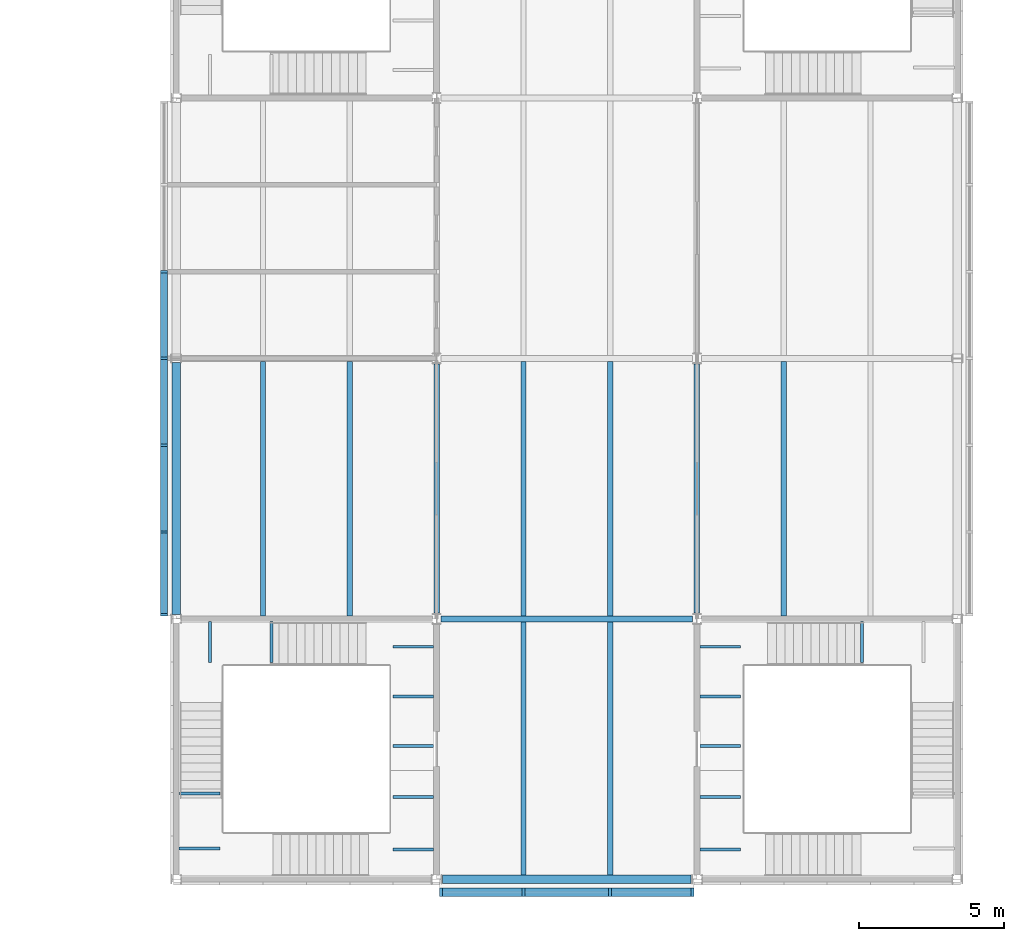
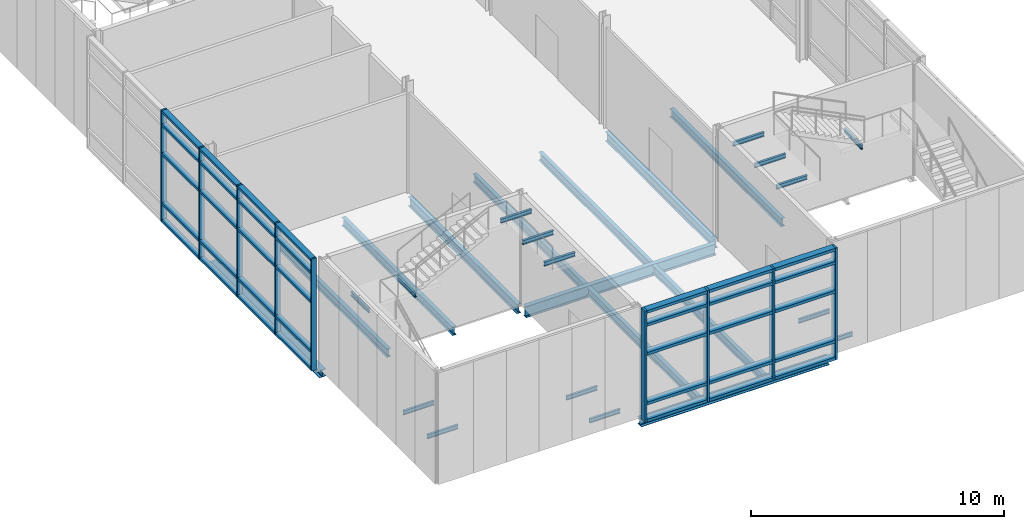
# One storey, part 9 of 53: 44 members, 27 beams, 2 elements without a shape of their own.
"""IFC4 building model written with IfcOpenShell, lengths in metres."""

import ifcopenshell
import ifcopenshell.guid

model = None  # the IFC model being written
_history = None  # IfcOwnerHistory: only IFC2X3 demands one
_inside = {}  # id of a spatial element -> (the spatial element, [elements in it])
_under = {}  # id of a project, library or spatial element -> (it, [spatial elements below it])
_declared = {}  # id of a project -> (the project, [libraries it declares])
_typed = {}  # id of a type object -> (the type object, [elements of that type])
_made_of = {}  # id of a material, layer set ... -> (it, [elements and type objects made of it])


def new_model(schema):
    """Start an empty IFC model of exactly this schema.

    Asked for "IFC4X3", IfcOpenShell would pick the latest addendum, in which some entities
    have other attributes; the version numbers below select the first issue.
    IFC2X3 requires an IfcOwnerHistory on every rooted entity: one is made here for all.
    """
    global model, _history
    if schema == "IFC4X3":
        model = ifcopenshell.file(schema_version=(4, 3, 0, 0))
    else:
        model = ifcopenshell.file(schema=schema)
    _inside.clear()
    _under.clear()
    _declared.clear()
    _typed.clear()
    _made_of.clear()
    _history = None
    if model.schema == "IFC2X3":
        org = make("IfcOrganization", Name="unknown")
        user = make(
            "IfcPersonAndOrganization",
            ThePerson=make("IfcPerson", FamilyName="unknown"),
            TheOrganization=org,
        )
        app = make(
            "IfcApplication",
            ApplicationDeveloper=org,
            Version="unknown",
            ApplicationFullName="unknown",
            ApplicationIdentifier="unknown",
        )
        _history = make(
            "IfcOwnerHistory",
            OwningUser=user,
            OwningApplication=app,
            ChangeAction="ADDED",
            CreationDate=0,
        )
    return model


def make(cls, **values):
    """One entity of the class cls with the attributes given. An attribute that is None is left unset."""
    return model.create_entity(
        cls, **{name: value for name, value in values.items() if value is not None}
    )


def rooted(cls, **values):
    """An entity with a GlobalId (a new one), such as an element, a storey or a relation."""
    return make(cls, GlobalId=ifcopenshell.guid.new(), OwnerHistory=_history, **values)


def si_unit(unit_type, name, prefix=None):
    """IfcSIUnit, for example si_unit("LENGTHUNIT", "METRE", prefix="MILLI")."""
    return make("IfcSIUnit", UnitType=unit_type, Prefix=prefix, Name=name)


def assignment(units):
    """IfcUnitAssignment: the units of a project."""
    return None if units is None else make("IfcUnitAssignment", Units=units)


def point(xyz):
    """IfcCartesianPoint."""
    return None if xyz is None else make("IfcCartesianPoint", Coordinates=xyz)


def direction(xyz):
    """IfcDirection."""
    return None if xyz is None else make("IfcDirection", DirectionRatios=xyz)


def frame(location, z_axis=None, x_axis=None):
    """IfcAxis2Placement3D, a coordinate frame: its origin and axes. An axis left out is left unset."""
    return make(
        "IfcAxis2Placement3D",
        Location=point(location),
        Axis=direction(z_axis),
        RefDirection=direction(x_axis),
    )


def frame_2d(location, x_axis=None):
    """IfcAxis2Placement2D, a coordinate frame in the plane: its origin and x axis."""
    return make(
        "IfcAxis2Placement2D", Location=point(location), RefDirection=direction(x_axis)
    )


def origin():
    """The frame at (0, 0, 0) with its axes left unset."""
    return frame((0.0, 0.0, 0.0))


def origin_2d():
    """The frame at (0, 0) in the plane with its x axis left unset."""
    return frame_2d((0.0, 0.0))


def place(relative_to, where):
    """IfcLocalPlacement: puts the frame where relative to a parent placement (None: the world)."""
    return make(
        "IfcLocalPlacement", PlacementRelTo=relative_to, RelativePlacement=where
    )


def context(
    kind, dimensions, precision=None, world=None, true_north=None, identifier=None
):
    """IfcGeometricRepresentationContext, for example the 3D "Model" context."""
    return make(
        "IfcGeometricRepresentationContext",
        ContextIdentifier=identifier,
        ContextType=kind,
        CoordinateSpaceDimension=dimensions,
        Precision=precision,
        WorldCoordinateSystem=world,
        TrueNorth=true_north,
    )


def subcontext(parent, identifier, kind, view, scale=None):
    """IfcGeometricRepresentationSubContext, for example "Body" below "Model"."""
    return make(
        "IfcGeometricRepresentationSubContext",
        ContextIdentifier=identifier,
        ContextType=kind,
        ParentContext=parent,
        TargetScale=scale,
        TargetView=view,
    )


def project(units=None, contexts=None):
    """IfcProject with its units and contexts."""
    return rooted(
        "IfcProject",
        Name="project",
        RepresentationContexts=contexts,
        UnitsInContext=assignment(units),
    )


def spatial(cls, under=None, at=None, **own):
    """A site, building, storey or space (cls), placed at a placement, below another one or the project."""
    s = rooted(cls, ObjectPlacement=at, **own)
    if under is not None:
        _under.setdefault(under.id(), (under, []))[1].append(s)
    return s


def profile(cls, at=None, kind="AREA", **sizes):
    """A parametric profile (cls). Its sizes go by their IFC names, for example OverallWidth=200.0."""
    return make(cls, ProfileType=kind, Position=at, **sizes)


def rectangle(**sizes):
    """IfcRectangleProfileDef."""
    return profile("IfcRectangleProfileDef", **sizes)


def i_section(**sizes):
    """IfcIShapeProfileDef."""
    return profile("IfcIShapeProfileDef", **sizes)


def extrude(swept, where, along, depth):
    """IfcExtrudedAreaSolid: the profile swept, set in the frame where, extruded along a direction by depth."""
    return make(
        "IfcExtrudedAreaSolid",
        SweptArea=swept,
        Position=where,
        ExtrudedDirection=direction(along),
        Depth=depth,
    )


def shape(context_of_items, identifier, shape_type, items):
    """IfcShapeRepresentation: the items that make up one representation, for example the "Body"."""
    return make(
        "IfcShapeRepresentation",
        ContextOfItems=context_of_items,
        RepresentationIdentifier=identifier,
        RepresentationType=shape_type,
        Items=items,
    )


def material(Name=None, Category=None):
    """IfcMaterial."""
    return make("IfcMaterial", Name=Name, Category=Category)


def material_profile(
    of_material, cross_section, Name=None, Category=None, Priority=None
):
    """IfcMaterialProfile: a cross section and its material."""
    return make(
        "IfcMaterialProfile",
        Name=Name,
        Material=of_material,
        Profile=cross_section,
        Priority=Priority,
        Category=Category,
    )


def profile_set(profiles, Name=None, composite=None):
    """IfcMaterialProfileSet."""
    return make(
        "IfcMaterialProfileSet",
        Name=Name,
        MaterialProfiles=profiles,
        CompositeProfile=composite,
    )


def made_of(thing, what):
    """Note that an element or type object is made of a material, layer set ...; save() writes the relation."""
    if what is not None:
        _made_of.setdefault(what.id(), (what, []))[1].append(thing)
    return thing


def type_object(cls, material=None, **own):
    """A type object (cls), such as IfcWallType, which elements share."""
    return made_of(rooted(cls, **own), material)


def element(
    cls,
    number,
    at=None,
    inside=None,
    cuts=None,
    type_object=None,
    material=None,
    context=None,
    identifier="Body",
    shape_type=None,
    held_by="IfcProductDefinitionShape",
    body=None,
    shapes=None,
    **own,
):
    """One element of the class cls, such as IfcWall. Its Tag is "e" and its number.

    at: its placement. inside: the storey or other place that contains it. cuts: it is an
    opening in that element (IfcRelVoidsElement). A single representation is given by context,
    identifier, shape_type and body (its items); several are given by shapes. held_by: the class
    of the entity that holds the representations. save() writes the other relations.
    """
    e = rooted(cls, Tag="e%d" % number, ObjectPlacement=at, **own)
    if body is not None:
        shapes = [shape(context, identifier, shape_type, body)]
    if shapes is not None:
        e.Representation = make(held_by, Representations=shapes)
    if inside is not None:
        _inside.setdefault(inside.id(), (inside, []))[1].append(e)
    if cuts is not None:
        rooted(
            "IfcRelVoidsElement", RelatingBuildingElement=cuts, RelatedOpeningElement=e
        )
    if type_object is not None:
        _typed.setdefault(type_object.id(), (type_object, []))[1].append(e)
    return made_of(e, material)


def aggregate(whole, parts):
    """IfcRelAggregates: a whole, such as a stair, and the parts it consists of."""
    return rooted("IfcRelAggregates", RelatingObject=whole, RelatedObjects=parts)


def save(model, path):
    """Write the relations noted so far, then the file.

    IfcRelAggregates (storeys below a building ...), IfcRelContainedInSpatialStructure (elements
    in a storey), IfcRelDefinesByType, IfcRelAssociatesMaterial and IfcRelDeclares: one each for
    every whole, place, type object, material and project.
    """
    for whole, parts in _under.values():
        aggregate(whole, parts)
    for where, things in _inside.values():
        rooted(
            "IfcRelContainedInSpatialStructure",
            RelatedElements=things,
            RelatingStructure=where,
        )
    for kind, things in _typed.values():
        rooted("IfcRelDefinesByType", RelatedObjects=things, RelatingType=kind)
    for what, things in _made_of.values():
        rooted("IfcRelAssociatesMaterial", RelatedObjects=things, RelatingMaterial=what)
    for by, libraries in _declared.values():
        rooted("IfcRelDeclares", RelatingContext=by, RelatedDefinitions=libraries)
    model.write(path)


model = new_model("IFC4")

# Units and contexts
model_context = context("Model", 3, precision=1e-05, world=origin(), true_north=direction((0.0, 1.0)))
body_context = subcontext(model_context, "Body", "Model", "MODEL_VIEW")
ifc_project = project(units=[si_unit("LENGTHUNIT", "METRE"), si_unit("AREAUNIT", "SQUARE_METRE"), si_unit("VOLUMEUNIT", "CUBIC_METRE"), si_unit("PLANEANGLEUNIT", "RADIAN"), si_unit("MASSUNIT", "GRAM", prefix="KILO")], contexts=[model_context])

# Site, building, storey
site_placement = place(None, origin())
site = spatial("IfcSite", under=ifc_project, at=site_placement, CompositionType="ELEMENT")
building_placement = place(site_placement, origin())
building = spatial("IfcBuilding", under=site, at=building_placement, Name="Azimuth Sports and Learning Centre", CompositionType="ELEMENT")
storey_placement = place(building_placement, frame((0.0, 0.0, 10.800048828125)))
storey = spatial("IfcBuildingStorey", under=building, at=storey_placement, Name="L02", CompositionType="ELEMENT", Elevation=10.800048828125)

# Beams
ifc_material_1 = material(Name="Steel S355", Category="steel")
ifc_material_profile_1 = material_profile(ifc_material_1, i_section(OverallWidth=0.10009765625, OverallDepth=0.199951171875, WebThickness=0.005615234375, FlangeThickness=0.008544921875, FilletRadius=0.011962890625, at=origin_2d()), Name="IPE 200")
ifc_profile_set_1 = profile_set([ifc_material_profile_1], Name="Steel S355")
beam_type_1 = type_object("IfcBeamType", Name="Beam IPE 200", PredefinedType="BEAM", material=ifc_profile_set_1)
for number, where, z_axis, x_axis, name in (
    (1, (80.89990234375, 1.02001953125, -0.300048828125), (-1.0, 0.0, 0.0), (0.0, -1.0, 0.0), "Landing bracket ST1 L02 1004"),
    (2, (80.89990234375, 2.840087890625, -0.300048828125), (-1.0, 0.0, 0.0), (0.0, -1.0, 0.0), "Landing bracket ST1 L02 1005"),
    (3, (72.10009765625, 1.06005859375, 1.5), (1.0, 0.0, 0.0), (0.0, 1.0, 0.0), "Landing bracket ST1 L02 1006"),
    (4, (72.10009765625, 2.9599609375, 1.5), (1.0, 0.0, 0.0), (0.0, 1.0, 0.0), "Landing bracket ST1 L02 1007"),
    (5, (73.172607421875, 8.89990234375, 3.300048828125), (0.0, -1.0, 0.0), (1.0, 0.0, 0.0), "Landing bracket ST1 L02 1008"),
    (6, (75.297607421875, 8.89990234375, 3.300048828125), (0.0, -1.0, 0.0), (1.0, 0.0, 0.0), "Landing bracket ST1 L02 1009"),
    (7, (80.89990234375, 4.606689453125, 5.099853515625), (-1.0, 0.0, 0.0), (0.0, -1.0, 0.0), "Landing bracket ST1 L02 1010"),
    (8, (80.89990234375, 6.320068359375, 5.099853515625), (-1.0, 0.0, 0.0), (0.0, -1.0, 0.0), "Landing bracket ST1 L02 1011"),
    (9, (80.89990234375, 8.033447265625, 5.099853515625), (-1.0, 0.0, 0.0), (0.0, -1.0, 0.0), "Landing bracket ST1 L02 1012"),
    (10, (90.10009765625, 1.02001953125, -0.300048828125), (1.0, 0.0, 0.0), (0.0, 1.0, 0.0), "Landing bracket ST2 L02 1041"),
    (11, (90.10009765625, 2.840087890625, -0.300048828125), (1.0, 0.0, 0.0), (0.0, 1.0, 0.0), "Landing bracket ST2 L02 1042"),
    (12, (95.702392578125, 8.89990234375, 3.300048828125), (0.0, -1.0, 0.0), (1.0, 0.0, 0.0), "Landing bracket ST2 L02 1045"),
    (13, (90.10009765625, 4.606689453125, 5.099853515625), (1.0, 0.0, 0.0), (0.0, 1.0, 0.0), "Landing bracket ST2 L02 1047"),
    (14, (90.10009765625, 6.320068359375, 5.099853515625), (1.0, 0.0, 0.0), (0.0, 1.0, 0.0), "Landing bracket ST2 L02 1048"),
    (15, (90.10009765625, 8.033447265625, 5.099853515625), (1.0, 0.0, 0.0), (0.0, 1.0, 0.0), "Landing bracket ST2 L02 1049"),
):
    element("IfcBeam", number, at=place(storey_placement, frame(where, z_axis=z_axis, x_axis=x_axis)), inside=storey, type_object=beam_type_1, Name=name, PredefinedType="BEAM", context=body_context, shape_type="SweptSolid", body=[
        extrude(i_section(OverallWidth=0.10009765625, OverallDepth=0.199951171875, WebThickness=0.005615234375, FlangeThickness=0.008544921875, FilletRadius=0.011962890625, at=origin_2d()), origin(), (0.0, 0.0, 1.0), 1.409912109375),
    ])
ifc_material_2 = material(Name="Steel S355", Category="steel")
ifc_material_profile_2 = material_profile(ifc_material_2, i_section(OverallWidth=0.18994140625, OverallDepth=0.449951171875, WebThickness=0.009521484375, FlangeThickness=0.0146484375, FilletRadius=0.02099609375, at=origin_2d()), Name="IPE 450")
ifc_profile_set_2 = profile_set([ifc_material_profile_2], Name="Steel S355")
beam_type_2 = type_object("IfcBeamType", Name="Beam IPE 450", PredefinedType="BEAM", material=ifc_profile_set_2)
for number, where, z_axis, x_axis, name in (
    (16, (81.0, 9.199951171875, -0.375), (0.0, 1.0, 0.0), (-1.0, 0.0, 0.0), "Beam L02 ST 29"),
    (17, (90.0, 9.199951171875, -0.375), (0.0, 1.0, 0.0), (-1.0, 0.0, 0.0), "Beam L02 ST 35"),
):
    element("IfcBeam", number, at=place(storey_placement, frame(where, z_axis=z_axis, x_axis=x_axis)), inside=storey, type_object=beam_type_2, Name=name, PredefinedType="BEAM", context=body_context, shape_type="SweptSolid", body=[
        extrude(i_section(OverallWidth=0.18994140625, OverallDepth=0.449951171875, WebThickness=0.009521484375, FlangeThickness=0.0146484375, FilletRadius=0.02099609375, at=origin_2d()), origin(), (0.0, 0.0, 1.0), 8.60009765625),
    ])
ifc_material_3 = material(Name="Steel S355", Category="steel")
ifc_material_profile_3 = material_profile(ifc_material_3, i_section(OverallWidth=0.2099609375, OverallDepth=0.550048828125, WebThickness=0.010986328125, FlangeThickness=0.01708984375, FilletRadius=0.02392578125, at=origin_2d()), Name="IPE 550")
ifc_profile_set_3 = profile_set([ifc_material_profile_3], Name="Steel S355")
beam_type_3 = type_object("IfcBeamType", Name="Beam IPE 550", PredefinedType="BEAM", material=ifc_profile_set_3)
beam_1_placement = place(storey_placement, frame((81.14990234375, 9.0, -0.425048828125), z_axis=(1.0, 0.0, 0.0), x_axis=(0.0, 1.0, 0.0)))
element("IfcBeam", 18, at=beam_1_placement, inside=storey, type_object=beam_type_3, Name="Beam L02 ST 2", PredefinedType="BEAM", context=body_context, shape_type="SweptSolid", body=[
    extrude(i_section(OverallWidth=0.2099609375, OverallDepth=0.550048828125, WebThickness=0.010986328125, FlangeThickness=0.01708984375, FilletRadius=0.02392578125, at=origin_2d()), origin(), (0.0, 0.0, 1.0), 8.7001953125),
])
ifc_material_4 = material(Name="Steel S355", Category="steel")
ifc_material_profile_4 = material_profile(ifc_material_4, i_section(OverallWidth=0.300048828125, OverallDepth=0.35009765625, WebThickness=0.010009765625, FlangeThickness=0.017578125, FilletRadius=0.027099609375, at=origin_2d()), Name="HEA 360")
ifc_profile_set_4 = profile_set([ifc_material_profile_4], Name="Steel S355")
beam_type_4 = type_object("IfcBeamType", Name="Edge beam HEA 360", PredefinedType="SPANDREL", material=ifc_profile_set_4)
beam_2_placement = place(storey_placement, frame((81.199951171875, 0.0, -0.324951171875), z_axis=(1.0, 0.0, 0.0), x_axis=(0.0, 1.0, 0.0)))
element("IfcBeam", 19, at=beam_2_placement, inside=storey, type_object=beam_type_4, Name="Edge beam L02 ST 1", PredefinedType="SPANDREL", context=body_context, shape_type="SweptSolid", body=[
    extrude(i_section(OverallWidth=0.300048828125, OverallDepth=0.35009765625, WebThickness=0.010009765625, FlangeThickness=0.017578125, FilletRadius=0.027099609375, at=origin_2d()), origin(), (0.0, 0.0, 1.0), 8.60009765625),
])
beam_3_placement = place(storey_placement, frame((72.0, 9.14990234375, -0.324951171875), z_axis=(0.0, 1.0, 0.0), x_axis=(-1.0, 0.0, 0.0)))
element("IfcBeam", 20, at=beam_3_placement, inside=storey, type_object=beam_type_4, Name="Edge beam L02 ST 21", PredefinedType="SPANDREL", context=body_context, shape_type="SweptSolid", body=[
    extrude(i_section(OverallWidth=0.300048828125, OverallDepth=0.35009765625, WebThickness=0.010009765625, FlangeThickness=0.017578125, FilletRadius=0.027099609375, at=origin_2d()), origin(), (0.0, 0.0, 1.0), 8.7001953125),
])
ifc_material_5 = material(Name="Steel S355", Category="steel")
ifc_material_profile_5 = material_profile(ifc_material_5, i_section(OverallWidth=0.179931640625, OverallDepth=0.39990234375, WebThickness=0.008544921875, FlangeThickness=0.013427734375, FilletRadius=0.02099609375, at=origin_2d()), Name="IPE 400")
ifc_profile_set_5 = profile_set([ifc_material_profile_5], Name="Steel S355")
beam_type_5 = type_object("IfcBeamType", Name="Joist IPE 400", PredefinedType="JOIST", material=ifc_profile_set_5)
for number, where, z_axis, x_axis, name in (
    (21, (75.0, 9.10009765625, -0.35009765625), (0.0, 1.0, 0.0), (-1.0, 0.0, 0.0), "Joist L02 ST 48"),
    (22, (78.0, 9.10009765625, -0.35009765625), (0.0, 1.0, 0.0), (-1.0, 0.0, 0.0), "Joist L02 ST 56"),
):
    element("IfcBeam", number, at=place(storey_placement, frame(where, z_axis=z_axis, x_axis=x_axis)), inside=storey, type_object=beam_type_5, Name=name, PredefinedType="JOIST", context=body_context, shape_type="SweptSolid", body=[
        extrude(i_section(OverallWidth=0.179931640625, OverallDepth=0.39990234375, WebThickness=0.008544921875, FlangeThickness=0.013427734375, FilletRadius=0.02099609375, at=origin_2d()), origin(), (0.0, 0.0, 1.0), 8.794921875),
    ])
beam_4_placement = place(storey_placement, frame((84.0, 0.14990234375, -0.35009765625), z_axis=(0.0, 1.0, 0.0), x_axis=(-1.0, 0.0, 0.0)))
element("IfcBeam", 23, at=beam_4_placement, inside=storey, type_object=beam_type_5, Name="Joist L02 ST 64", PredefinedType="JOIST", context=body_context, shape_type="SweptSolid", body=[
    extrude(i_section(OverallWidth=0.179931640625, OverallDepth=0.39990234375, WebThickness=0.008544921875, FlangeThickness=0.013427734375, FilletRadius=0.02099609375, at=origin_2d()), origin(), (0.0, 0.0, 1.0), 8.7451171875),
])
beam_5_placement = place(storey_placement, frame((84.0, 9.10498046875, -0.35009765625), z_axis=(0.0, 1.0, 0.0), x_axis=(-1.0, 0.0, 0.0)))
element("IfcBeam", 24, at=beam_5_placement, inside=storey, type_object=beam_type_5, Name="Joist L02 ST 65", PredefinedType="JOIST", context=body_context, shape_type="SweptSolid", body=[
    extrude(i_section(OverallWidth=0.179931640625, OverallDepth=0.39990234375, WebThickness=0.008544921875, FlangeThickness=0.013427734375, FilletRadius=0.02099609375, at=origin_2d()), origin(), (0.0, 0.0, 1.0), 8.7900390625),
])
beam_6_placement = place(storey_placement, frame((87.0, 0.14990234375, -0.35009765625), z_axis=(0.0, 1.0, 0.0), x_axis=(-1.0, 0.0, 0.0)))
element("IfcBeam", 25, at=beam_6_placement, inside=storey, type_object=beam_type_5, Name="Joist L02 ST 70", PredefinedType="JOIST", context=body_context, shape_type="SweptSolid", body=[
    extrude(i_section(OverallWidth=0.179931640625, OverallDepth=0.39990234375, WebThickness=0.008544921875, FlangeThickness=0.013427734375, FilletRadius=0.02099609375, at=origin_2d()), origin(), (0.0, 0.0, 1.0), 8.7451171875),
])
beam_7_placement = place(storey_placement, frame((87.0, 9.10498046875, -0.35009765625), z_axis=(0.0, 1.0, 0.0), x_axis=(-1.0, 0.0, 0.0)))
element("IfcBeam", 26, at=beam_7_placement, inside=storey, type_object=beam_type_5, Name="Joist L02 ST 71", PredefinedType="JOIST", context=body_context, shape_type="SweptSolid", body=[
    extrude(i_section(OverallWidth=0.179931640625, OverallDepth=0.39990234375, WebThickness=0.008544921875, FlangeThickness=0.013427734375, FilletRadius=0.02099609375, at=origin_2d()), origin(), (0.0, 0.0, 1.0), 8.7900390625),
])
beam_8_placement = place(storey_placement, frame((93.0, 9.10009765625, -0.35009765625), z_axis=(0.0, 1.0, 0.0), x_axis=(-1.0, 0.0, 0.0)))
element("IfcBeam", 27, at=beam_8_placement, inside=storey, type_object=beam_type_5, Name="Joist L02 ST 76", PredefinedType="JOIST", context=body_context, shape_type="SweptSolid", body=[
    extrude(i_section(OverallWidth=0.179931640625, OverallDepth=0.39990234375, WebThickness=0.008544921875, FlangeThickness=0.013427734375, FilletRadius=0.02099609375, at=origin_2d()), origin(), (0.0, 0.0, 1.0), 8.794921875),
])

# Curtain wall, members
ifc_material_6 = material(Name="Aluminium and glass", Category="aluminium")
curtain_wall_type_1 = type_object("IfcCurtainWallType", Name="Curtain wall podium front 300", PredefinedType="NOTDEFINED", material=ifc_material_6)
curtain_wall_1_placement = place(storey_placement, origin())
curtain_wall_1 = element("IfcCurtainWall", 28, at=curtain_wall_1_placement, inside=storey, type_object=curtain_wall_type_1, Name="Curtain wall CW02-005", PredefinedType="NOTDEFINED")
ifc_material_7 = material(Name="Aluminium", Category="aluminium")
ifc_material_profile_6 = material_profile(ifc_material_7, rectangle(XDim=0.300048828125, YDim=0.10009765625, at=origin_2d()), Name="Mullion 100x300")
ifc_profile_set_6 = profile_set([ifc_material_profile_6], Name="Aluminium")
member_type_1 = type_object("IfcMemberType", Name="Mullion 100x300", PredefinedType="MULLION", material=ifc_profile_set_6)
member_1_placement = place(storey_placement, frame((81.14990234375, -0.449951171875, 0.0), z_axis=(0.0, 0.0, 1.0), x_axis=(0.0, 1.0, 0.0)))
member_1 = element("IfcMember", 29, at=member_1_placement, type_object=member_type_1, Name="CW02-005 mullion 1", PredefinedType="MULLION", context=body_context, shape_type="SweptSolid", body=[
    extrude(rectangle(XDim=0.300048828125, YDim=0.10009765625, at=origin_2d()), origin(), (0.0, 0.0, 1.0), 5.39990234375),
])
member_2_placement = place(storey_placement, frame((84.0, -0.449951171875, 0.0), z_axis=(0.0, 0.0, 1.0), x_axis=(0.0, 1.0, 0.0)))
member_2 = element("IfcMember", 30, at=member_2_placement, type_object=member_type_1, Name="CW02-005 mullion 2", PredefinedType="MULLION", context=body_context, shape_type="SweptSolid", body=[
    extrude(rectangle(XDim=0.300048828125, YDim=0.10009765625, at=origin_2d()), origin(), (0.0, 0.0, 1.0), 5.39990234375),
])
member_3_placement = place(storey_placement, frame((87.0, -0.449951171875, 0.0), z_axis=(0.0, 0.0, 1.0), x_axis=(0.0, 1.0, 0.0)))
member_3 = element("IfcMember", 31, at=member_3_placement, type_object=member_type_1, Name="CW02-005 mullion 3", PredefinedType="MULLION", context=body_context, shape_type="SweptSolid", body=[
    extrude(rectangle(XDim=0.300048828125, YDim=0.10009765625, at=origin_2d()), origin(), (0.0, 0.0, 1.0), 5.39990234375),
])
member_4_placement = place(storey_placement, frame((89.85009765625, -0.449951171875, 0.0), z_axis=(0.0, 0.0, 1.0), x_axis=(0.0, 1.0, 0.0)))
member_4 = element("IfcMember", 32, at=member_4_placement, type_object=member_type_1, Name="CW02-005 mullion 4", PredefinedType="MULLION", context=body_context, shape_type="SweptSolid", body=[
    extrude(rectangle(XDim=0.300048828125, YDim=0.10009765625, at=origin_2d()), origin(), (0.0, 0.0, 1.0), 5.39990234375),
])

ifc_material_8 = material(Name="Aluminium and glass", Category="aluminium")
curtain_wall_type_2 = type_object("IfcCurtainWallType", Name="Curtain wall podium stem 240", PredefinedType="NOTDEFINED", material=ifc_material_8)
curtain_wall_2_placement = place(storey_placement, origin())
curtain_wall_2 = element("IfcCurtainWall", 33, at=curtain_wall_2_placement, inside=storey, type_object=curtain_wall_type_2, Name="Curtain wall CW02-004", PredefinedType="NOTDEFINED")
ifc_material_9 = material(Name="Aluminium", Category="aluminium")
ifc_material_profile_7 = material_profile(ifc_material_9, rectangle(XDim=0.239990234375, YDim=0.080078125, at=origin_2d()), Name="Mullion 80x240")
ifc_profile_set_7 = profile_set([ifc_material_profile_7], Name="Aluminium")
member_type_2 = type_object("IfcMemberType", Name="Mullion 80x240", PredefinedType="MULLION", material=ifc_profile_set_7)
member_5_placement = place(storey_placement, frame((71.580078125, 21.0, 0.0), z_axis=(0.0, 0.0, 1.0), x_axis=(1.0, 0.0, 0.0)))
member_5 = element("IfcMember", 34, at=member_5_placement, type_object=member_type_2, Name="CW02-004 mullion 3", PredefinedType="MULLION", context=body_context, shape_type="SweptSolid", body=[
    extrude(rectangle(XDim=0.239990234375, YDim=0.080078125, at=origin_2d()), origin(), (0.0, 0.0, 1.0), 5.39990234375),
])
member_6_placement = place(storey_placement, frame((71.580078125, 18.0, 0.0), z_axis=(0.0, 0.0, 1.0), x_axis=(1.0, 0.0, 0.0)))
member_6 = element("IfcMember", 35, at=member_6_placement, type_object=member_type_2, Name="CW02-004 mullion 4", PredefinedType="MULLION", context=body_context, shape_type="SweptSolid", body=[
    extrude(rectangle(XDim=0.239990234375, YDim=0.080078125, at=origin_2d()), origin(), (0.0, 0.0, 1.0), 5.39990234375),
])
member_7_placement = place(storey_placement, frame((71.580078125, 15.0, 0.0), z_axis=(0.0, 0.0, 1.0), x_axis=(1.0, 0.0, 0.0)))
member_7 = element("IfcMember", 36, at=member_7_placement, type_object=member_type_2, Name="CW02-004 mullion 5", PredefinedType="MULLION", context=body_context, shape_type="SweptSolid", body=[
    extrude(rectangle(XDim=0.239990234375, YDim=0.080078125, at=origin_2d()), origin(), (0.0, 0.0, 1.0), 5.39990234375),
])
member_8_placement = place(storey_placement, frame((71.580078125, 12.0, 0.0), z_axis=(0.0, 0.0, 1.0), x_axis=(1.0, 0.0, 0.0)))
member_8 = element("IfcMember", 37, at=member_8_placement, type_object=member_type_2, Name="CW02-004 mullion 6", PredefinedType="MULLION", context=body_context, shape_type="SweptSolid", body=[
    extrude(rectangle(XDim=0.239990234375, YDim=0.080078125, at=origin_2d()), origin(), (0.0, 0.0, 1.0), 5.39990234375),
])
member_9_placement = place(storey_placement, frame((71.580078125, 9.139892578125, 0.0), z_axis=(0.0, 0.0, 1.0), x_axis=(1.0, 0.0, 0.0)))
member_9 = element("IfcMember", 38, at=member_9_placement, type_object=member_type_2, Name="CW02-004 mullion 7", PredefinedType="MULLION", context=body_context, shape_type="SweptSolid", body=[
    extrude(rectangle(XDim=0.239990234375, YDim=0.080078125, at=origin_2d()), origin(), (0.0, 0.0, 1.0), 5.39990234375),
])
ifc_material_10 = material(Name="Aluminium", Category="aluminium")
ifc_material_profile_8 = material_profile(ifc_material_10, rectangle(XDim=0.239990234375, YDim=0.1201171875, at=origin_2d()), Name="Transom 120x240")
ifc_profile_set_8 = profile_set([ifc_material_profile_8], Name="Aluminium")
member_type_3 = type_object("IfcMemberType", Name="Transom 120x240", PredefinedType="USERDEFINED", material=ifc_profile_set_8)
member_10_placement = place(storey_placement, frame((71.580078125, 20.9599609375, 0.06005859375), z_axis=(0.0, -1.0, 0.0), x_axis=(1.0, 0.0, 0.0)))
member_10 = element("IfcMember", 39, at=member_10_placement, type_object=member_type_3, Name="CW02-004 transom 3.1", ObjectType="TRANSOM", PredefinedType="USERDEFINED", context=body_context, shape_type="SweptSolid", body=[
    extrude(rectangle(XDim=0.239990234375, YDim=0.1201171875, at=origin_2d()), origin(), (0.0, 0.0, 1.0), 2.919921875),
])
member_11_placement = place(storey_placement, frame((71.580078125, 20.9599609375, 0.89990234375), z_axis=(0.0, -1.0, 0.0), x_axis=(1.0, 0.0, 0.0)))
member_11 = element("IfcMember", 40, at=member_11_placement, type_object=member_type_3, Name="CW02-004 transom 3.2", ObjectType="TRANSOM", PredefinedType="USERDEFINED", context=body_context, shape_type="SweptSolid", body=[
    extrude(rectangle(XDim=0.239990234375, YDim=0.1201171875, at=origin_2d()), origin(), (0.0, 0.0, 1.0), 2.919921875),
])
member_12_placement = place(storey_placement, frame((71.580078125, 20.9599609375, 3.300048828125), z_axis=(0.0, -1.0, 0.0), x_axis=(1.0, 0.0, 0.0)))
member_12 = element("IfcMember", 41, at=member_12_placement, type_object=member_type_3, Name="CW02-004 transom 3.3", ObjectType="TRANSOM", PredefinedType="USERDEFINED", context=body_context, shape_type="SweptSolid", body=[
    extrude(rectangle(XDim=0.239990234375, YDim=0.1201171875, at=origin_2d()), origin(), (0.0, 0.0, 1.0), 2.919921875),
])
member_13_placement = place(storey_placement, frame((71.580078125, 20.9599609375, 4.699951171875), z_axis=(0.0, -1.0, 0.0), x_axis=(1.0, 0.0, 0.0)))
member_13 = element("IfcMember", 42, at=member_13_placement, type_object=member_type_3, Name="CW02-004 transom 3.4", ObjectType="TRANSOM", PredefinedType="USERDEFINED", context=body_context, shape_type="SweptSolid", body=[
    extrude(rectangle(XDim=0.239990234375, YDim=0.1201171875, at=origin_2d()), origin(), (0.0, 0.0, 1.0), 2.919921875),
])
member_14_placement = place(storey_placement, frame((71.580078125, 20.9599609375, 5.33984375), z_axis=(0.0, -1.0, 0.0), x_axis=(1.0, 0.0, 0.0)))
member_14 = element("IfcMember", 43, at=member_14_placement, type_object=member_type_3, Name="CW02-004 transom 3.5", ObjectType="TRANSOM", PredefinedType="USERDEFINED", context=body_context, shape_type="SweptSolid", body=[
    extrude(rectangle(XDim=0.239990234375, YDim=0.1201171875, at=origin_2d()), origin(), (0.0, 0.0, 1.0), 2.919921875),
])
member_15_placement = place(storey_placement, frame((71.580078125, 17.9599609375, 0.06005859375), z_axis=(0.0, -1.0, 0.0), x_axis=(1.0, 0.0, 0.0)))
member_15 = element("IfcMember", 44, at=member_15_placement, type_object=member_type_3, Name="CW02-004 transom 4.1", ObjectType="TRANSOM", PredefinedType="USERDEFINED", context=body_context, shape_type="SweptSolid", body=[
    extrude(rectangle(XDim=0.239990234375, YDim=0.1201171875, at=origin_2d()), origin(), (0.0, 0.0, 1.0), 2.919921875),
])
member_16_placement = place(storey_placement, frame((71.580078125, 17.9599609375, 0.89990234375), z_axis=(0.0, -1.0, 0.0), x_axis=(1.0, 0.0, 0.0)))
member_16 = element("IfcMember", 45, at=member_16_placement, type_object=member_type_3, Name="CW02-004 transom 4.2", ObjectType="TRANSOM", PredefinedType="USERDEFINED", context=body_context, shape_type="SweptSolid", body=[
    extrude(rectangle(XDim=0.239990234375, YDim=0.1201171875, at=origin_2d()), origin(), (0.0, 0.0, 1.0), 2.919921875),
])
member_17_placement = place(storey_placement, frame((71.580078125, 17.9599609375, 3.300048828125), z_axis=(0.0, -1.0, 0.0), x_axis=(1.0, 0.0, 0.0)))
member_17 = element("IfcMember", 46, at=member_17_placement, type_object=member_type_3, Name="CW02-004 transom 4.3", ObjectType="TRANSOM", PredefinedType="USERDEFINED", context=body_context, shape_type="SweptSolid", body=[
    extrude(rectangle(XDim=0.239990234375, YDim=0.1201171875, at=origin_2d()), origin(), (0.0, 0.0, 1.0), 2.919921875),
])
member_18_placement = place(storey_placement, frame((71.580078125, 17.9599609375, 4.699951171875), z_axis=(0.0, -1.0, 0.0), x_axis=(1.0, 0.0, 0.0)))
member_18 = element("IfcMember", 47, at=member_18_placement, type_object=member_type_3, Name="CW02-004 transom 4.4", ObjectType="TRANSOM", PredefinedType="USERDEFINED", context=body_context, shape_type="SweptSolid", body=[
    extrude(rectangle(XDim=0.239990234375, YDim=0.1201171875, at=origin_2d()), origin(), (0.0, 0.0, 1.0), 2.919921875),
])
member_19_placement = place(storey_placement, frame((71.580078125, 17.9599609375, 5.33984375), z_axis=(0.0, -1.0, 0.0), x_axis=(1.0, 0.0, 0.0)))
member_19 = element("IfcMember", 48, at=member_19_placement, type_object=member_type_3, Name="CW02-004 transom 4.5", ObjectType="TRANSOM", PredefinedType="USERDEFINED", context=body_context, shape_type="SweptSolid", body=[
    extrude(rectangle(XDim=0.239990234375, YDim=0.1201171875, at=origin_2d()), origin(), (0.0, 0.0, 1.0), 2.919921875),
])
member_20_placement = place(storey_placement, frame((71.580078125, 14.9599609375, 0.06005859375), z_axis=(0.0, -1.0, 0.0), x_axis=(1.0, 0.0, 0.0)))
member_20 = element("IfcMember", 49, at=member_20_placement, type_object=member_type_3, Name="CW02-004 transom 5.1", ObjectType="TRANSOM", PredefinedType="USERDEFINED", context=body_context, shape_type="SweptSolid", body=[
    extrude(rectangle(XDim=0.239990234375, YDim=0.1201171875, at=origin_2d()), origin(), (0.0, 0.0, 1.0), 2.919921875),
])
member_21_placement = place(storey_placement, frame((71.580078125, 14.9599609375, 0.89990234375), z_axis=(0.0, -1.0, 0.0), x_axis=(1.0, 0.0, 0.0)))
member_21 = element("IfcMember", 50, at=member_21_placement, type_object=member_type_3, Name="CW02-004 transom 5.2", ObjectType="TRANSOM", PredefinedType="USERDEFINED", context=body_context, shape_type="SweptSolid", body=[
    extrude(rectangle(XDim=0.239990234375, YDim=0.1201171875, at=origin_2d()), origin(), (0.0, 0.0, 1.0), 2.919921875),
])
member_22_placement = place(storey_placement, frame((71.580078125, 14.9599609375, 3.300048828125), z_axis=(0.0, -1.0, 0.0), x_axis=(1.0, 0.0, 0.0)))
member_22 = element("IfcMember", 51, at=member_22_placement, type_object=member_type_3, Name="CW02-004 transom 5.3", ObjectType="TRANSOM", PredefinedType="USERDEFINED", context=body_context, shape_type="SweptSolid", body=[
    extrude(rectangle(XDim=0.239990234375, YDim=0.1201171875, at=origin_2d()), origin(), (0.0, 0.0, 1.0), 2.919921875),
])
member_23_placement = place(storey_placement, frame((71.580078125, 14.9599609375, 4.699951171875), z_axis=(0.0, -1.0, 0.0), x_axis=(1.0, 0.0, 0.0)))
member_23 = element("IfcMember", 52, at=member_23_placement, type_object=member_type_3, Name="CW02-004 transom 5.4", ObjectType="TRANSOM", PredefinedType="USERDEFINED", context=body_context, shape_type="SweptSolid", body=[
    extrude(rectangle(XDim=0.239990234375, YDim=0.1201171875, at=origin_2d()), origin(), (0.0, 0.0, 1.0), 2.919921875),
])
member_24_placement = place(storey_placement, frame((71.580078125, 14.9599609375, 5.33984375), z_axis=(0.0, -1.0, 0.0), x_axis=(1.0, 0.0, 0.0)))
member_24 = element("IfcMember", 53, at=member_24_placement, type_object=member_type_3, Name="CW02-004 transom 5.5", ObjectType="TRANSOM", PredefinedType="USERDEFINED", context=body_context, shape_type="SweptSolid", body=[
    extrude(rectangle(XDim=0.239990234375, YDim=0.1201171875, at=origin_2d()), origin(), (0.0, 0.0, 1.0), 2.919921875),
])
member_25_placement = place(storey_placement, frame((71.580078125, 11.9599609375, 0.06005859375), z_axis=(0.0, -1.0, 0.0), x_axis=(1.0, 0.0, 0.0)))
member_25 = element("IfcMember", 54, at=member_25_placement, type_object=member_type_3, Name="CW02-004 transom 6.1", ObjectType="TRANSOM", PredefinedType="USERDEFINED", context=body_context, shape_type="SweptSolid", body=[
    extrude(rectangle(XDim=0.239990234375, YDim=0.1201171875, at=origin_2d()), origin(), (0.0, 0.0, 1.0), 2.780029296875),
])
member_26_placement = place(storey_placement, frame((71.580078125, 11.9599609375, 0.89990234375), z_axis=(0.0, -1.0, 0.0), x_axis=(1.0, 0.0, 0.0)))
member_26 = element("IfcMember", 55, at=member_26_placement, type_object=member_type_3, Name="CW02-004 transom 6.2", ObjectType="TRANSOM", PredefinedType="USERDEFINED", context=body_context, shape_type="SweptSolid", body=[
    extrude(rectangle(XDim=0.239990234375, YDim=0.1201171875, at=origin_2d()), origin(), (0.0, 0.0, 1.0), 2.780029296875),
])
member_27_placement = place(storey_placement, frame((71.580078125, 11.9599609375, 3.300048828125), z_axis=(0.0, -1.0, 0.0), x_axis=(1.0, 0.0, 0.0)))
member_27 = element("IfcMember", 56, at=member_27_placement, type_object=member_type_3, Name="CW02-004 transom 6.3", ObjectType="TRANSOM", PredefinedType="USERDEFINED", context=body_context, shape_type="SweptSolid", body=[
    extrude(rectangle(XDim=0.239990234375, YDim=0.1201171875, at=origin_2d()), origin(), (0.0, 0.0, 1.0), 2.780029296875),
])
member_28_placement = place(storey_placement, frame((71.580078125, 11.9599609375, 4.699951171875), z_axis=(0.0, -1.0, 0.0), x_axis=(1.0, 0.0, 0.0)))
member_28 = element("IfcMember", 57, at=member_28_placement, type_object=member_type_3, Name="CW02-004 transom 6.4", ObjectType="TRANSOM", PredefinedType="USERDEFINED", context=body_context, shape_type="SweptSolid", body=[
    extrude(rectangle(XDim=0.239990234375, YDim=0.1201171875, at=origin_2d()), origin(), (0.0, 0.0, 1.0), 2.780029296875),
])
member_29_placement = place(storey_placement, frame((71.580078125, 11.9599609375, 5.33984375), z_axis=(0.0, -1.0, 0.0), x_axis=(1.0, 0.0, 0.0)))
member_29 = element("IfcMember", 58, at=member_29_placement, type_object=member_type_3, Name="CW02-004 transom 6.5", ObjectType="TRANSOM", PredefinedType="USERDEFINED", context=body_context, shape_type="SweptSolid", body=[
    extrude(rectangle(XDim=0.239990234375, YDim=0.1201171875, at=origin_2d()), origin(), (0.0, 0.0, 1.0), 2.780029296875),
])
aggregate(curtain_wall_2, [member_5, member_6, member_7, member_8, member_9, member_10, member_11, member_12, member_13, member_14, member_15, member_16, member_17, member_18, member_19, member_20, member_21, member_22, member_23, member_24, member_25, member_26, member_27, member_28, member_29])

# Member
ifc_material_11 = material(Name="Aluminium", Category="aluminium")
ifc_material_profile_9 = material_profile(ifc_material_11, rectangle(XDim=0.300048828125, YDim=0.139892578125, at=origin_2d()), Name="Transom 140x300")
ifc_profile_set_9 = profile_set([ifc_material_profile_9], Name="Aluminium")
member_type_4 = type_object("IfcMemberType", Name="Transom 140x300", PredefinedType="USERDEFINED", material=ifc_profile_set_9)
member_30_placement = place(storey_placement, frame((81.199951171875, -0.449951171875, 0.070068359375), z_axis=(1.0, 0.0, 0.0), x_axis=(0.0, 1.0, 0.0)))
member_30 = element("IfcMember", 59, at=member_30_placement, type_object=member_type_4, Name="CW02-005 transom 1.1", ObjectType="TRANSOM", PredefinedType="USERDEFINED", context=body_context, shape_type="SweptSolid", body=[
    extrude(rectangle(XDim=0.300048828125, YDim=0.139892578125, at=origin_2d()), origin(), (0.0, 0.0, 1.0), 2.75),
])

member_31_placement = place(storey_placement, frame((81.199951171875, -0.449951171875, 0.89990234375), z_axis=(1.0, 0.0, 0.0), x_axis=(0.0, 1.0, 0.0)))
member_31 = element("IfcMember", 60, at=member_31_placement, type_object=member_type_4, Name="CW02-005 transom 1.2", ObjectType="TRANSOM", PredefinedType="USERDEFINED", context=body_context, shape_type="SweptSolid", body=[
    extrude(rectangle(XDim=0.300048828125, YDim=0.139892578125, at=origin_2d()), origin(), (0.0, 0.0, 1.0), 2.75),
])

member_32_placement = place(storey_placement, frame((81.199951171875, -0.449951171875, 3.300048828125), z_axis=(1.0, 0.0, 0.0), x_axis=(0.0, 1.0, 0.0)))
member_32 = element("IfcMember", 61, at=member_32_placement, type_object=member_type_4, Name="CW02-005 transom 1.3", ObjectType="TRANSOM", PredefinedType="USERDEFINED", context=body_context, shape_type="SweptSolid", body=[
    extrude(rectangle(XDim=0.300048828125, YDim=0.139892578125, at=origin_2d()), origin(), (0.0, 0.0, 1.0), 2.75),
])

member_33_placement = place(storey_placement, frame((81.199951171875, -0.449951171875, 4.699951171875), z_axis=(1.0, 0.0, 0.0), x_axis=(0.0, 1.0, 0.0)))
member_33 = element("IfcMember", 62, at=member_33_placement, type_object=member_type_4, Name="CW02-005 transom 1.4", ObjectType="TRANSOM", PredefinedType="USERDEFINED", context=body_context, shape_type="SweptSolid", body=[
    extrude(rectangle(XDim=0.300048828125, YDim=0.139892578125, at=origin_2d()), origin(), (0.0, 0.0, 1.0), 2.75),
])

member_34_placement = place(storey_placement, frame((81.199951171875, -0.449951171875, 5.329833984375), z_axis=(1.0, 0.0, 0.0), x_axis=(0.0, 1.0, 0.0)))
member_34 = element("IfcMember", 63, at=member_34_placement, type_object=member_type_4, Name="CW02-005 transom 1.5", ObjectType="TRANSOM", PredefinedType="USERDEFINED", context=body_context, shape_type="SweptSolid", body=[
    extrude(rectangle(XDim=0.300048828125, YDim=0.139892578125, at=origin_2d()), origin(), (0.0, 0.0, 1.0), 2.75),
])

member_35_placement = place(storey_placement, frame((84.050048828125, -0.449951171875, 0.070068359375), z_axis=(1.0, 0.0, 0.0), x_axis=(0.0, 1.0, 0.0)))
member_35 = element("IfcMember", 64, at=member_35_placement, type_object=member_type_4, Name="CW02-005 transom 2.1", ObjectType="TRANSOM", PredefinedType="USERDEFINED", context=body_context, shape_type="SweptSolid", body=[
    extrude(rectangle(XDim=0.300048828125, YDim=0.139892578125, at=origin_2d()), origin(), (0.0, 0.0, 1.0), 2.89990234375),
])

member_36_placement = place(storey_placement, frame((84.050048828125, -0.449951171875, 0.89990234375), z_axis=(1.0, 0.0, 0.0), x_axis=(0.0, 1.0, 0.0)))
member_36 = element("IfcMember", 65, at=member_36_placement, type_object=member_type_4, Name="CW02-005 transom 2.2", ObjectType="TRANSOM", PredefinedType="USERDEFINED", context=body_context, shape_type="SweptSolid", body=[
    extrude(rectangle(XDim=0.300048828125, YDim=0.139892578125, at=origin_2d()), origin(), (0.0, 0.0, 1.0), 2.89990234375),
])

member_37_placement = place(storey_placement, frame((84.050048828125, -0.449951171875, 3.300048828125), z_axis=(1.0, 0.0, 0.0), x_axis=(0.0, 1.0, 0.0)))
member_37 = element("IfcMember", 66, at=member_37_placement, type_object=member_type_4, Name="CW02-005 transom 2.3", ObjectType="TRANSOM", PredefinedType="USERDEFINED", context=body_context, shape_type="SweptSolid", body=[
    extrude(rectangle(XDim=0.300048828125, YDim=0.139892578125, at=origin_2d()), origin(), (0.0, 0.0, 1.0), 2.89990234375),
])

member_38_placement = place(storey_placement, frame((84.050048828125, -0.449951171875, 4.699951171875), z_axis=(1.0, 0.0, 0.0), x_axis=(0.0, 1.0, 0.0)))
member_38 = element("IfcMember", 67, at=member_38_placement, type_object=member_type_4, Name="CW02-005 transom 2.4", ObjectType="TRANSOM", PredefinedType="USERDEFINED", context=body_context, shape_type="SweptSolid", body=[
    extrude(rectangle(XDim=0.300048828125, YDim=0.139892578125, at=origin_2d()), origin(), (0.0, 0.0, 1.0), 2.89990234375),
])

member_39_placement = place(storey_placement, frame((84.050048828125, -0.449951171875, 5.329833984375), z_axis=(1.0, 0.0, 0.0), x_axis=(0.0, 1.0, 0.0)))
member_39 = element("IfcMember", 68, at=member_39_placement, type_object=member_type_4, Name="CW02-005 transom 2.5", ObjectType="TRANSOM", PredefinedType="USERDEFINED", context=body_context, shape_type="SweptSolid", body=[
    extrude(rectangle(XDim=0.300048828125, YDim=0.139892578125, at=origin_2d()), origin(), (0.0, 0.0, 1.0), 2.89990234375),
])

member_40_placement = place(storey_placement, frame((87.050048828125, -0.449951171875, 0.070068359375), z_axis=(1.0, 0.0, 0.0), x_axis=(0.0, 1.0, 0.0)))
member_40 = element("IfcMember", 69, at=member_40_placement, type_object=member_type_4, Name="CW02-005 transom 3.1", ObjectType="TRANSOM", PredefinedType="USERDEFINED", context=body_context, shape_type="SweptSolid", body=[
    extrude(rectangle(XDim=0.300048828125, YDim=0.139892578125, at=origin_2d()), origin(), (0.0, 0.0, 1.0), 2.75),
])

member_41_placement = place(storey_placement, frame((87.050048828125, -0.449951171875, 0.89990234375), z_axis=(1.0, 0.0, 0.0), x_axis=(0.0, 1.0, 0.0)))
member_41 = element("IfcMember", 70, at=member_41_placement, type_object=member_type_4, Name="CW02-005 transom 3.2", ObjectType="TRANSOM", PredefinedType="USERDEFINED", context=body_context, shape_type="SweptSolid", body=[
    extrude(rectangle(XDim=0.300048828125, YDim=0.139892578125, at=origin_2d()), origin(), (0.0, 0.0, 1.0), 2.75),
])

member_42_placement = place(storey_placement, frame((87.050048828125, -0.449951171875, 3.300048828125), z_axis=(1.0, 0.0, 0.0), x_axis=(0.0, 1.0, 0.0)))
member_42 = element("IfcMember", 71, at=member_42_placement, type_object=member_type_4, Name="CW02-005 transom 3.3", ObjectType="TRANSOM", PredefinedType="USERDEFINED", context=body_context, shape_type="SweptSolid", body=[
    extrude(rectangle(XDim=0.300048828125, YDim=0.139892578125, at=origin_2d()), origin(), (0.0, 0.0, 1.0), 2.75),
])

member_43_placement = place(storey_placement, frame((87.050048828125, -0.449951171875, 4.699951171875), z_axis=(1.0, 0.0, 0.0), x_axis=(0.0, 1.0, 0.0)))
member_43 = element("IfcMember", 72, at=member_43_placement, type_object=member_type_4, Name="CW02-005 transom 3.4", ObjectType="TRANSOM", PredefinedType="USERDEFINED", context=body_context, shape_type="SweptSolid", body=[
    extrude(rectangle(XDim=0.300048828125, YDim=0.139892578125, at=origin_2d()), origin(), (0.0, 0.0, 1.0), 2.75),
])

member_44_placement = place(storey_placement, frame((87.050048828125, -0.449951171875, 5.329833984375), z_axis=(1.0, 0.0, 0.0), x_axis=(0.0, 1.0, 0.0)))
member_44 = element("IfcMember", 73, at=member_44_placement, type_object=member_type_4, Name="CW02-005 transom 3.5", ObjectType="TRANSOM", PredefinedType="USERDEFINED", context=body_context, shape_type="SweptSolid", body=[
    extrude(rectangle(XDim=0.300048828125, YDim=0.139892578125, at=origin_2d()), origin(), (0.0, 0.0, 1.0), 2.75),
])

aggregate(curtain_wall_1, [member_1, member_2, member_3, member_4, member_30, member_31, member_32, member_33, member_34, member_35, member_36, member_37, member_38, member_39, member_40, member_41, member_42, member_43, member_44])

save(model, "model.ifc")
